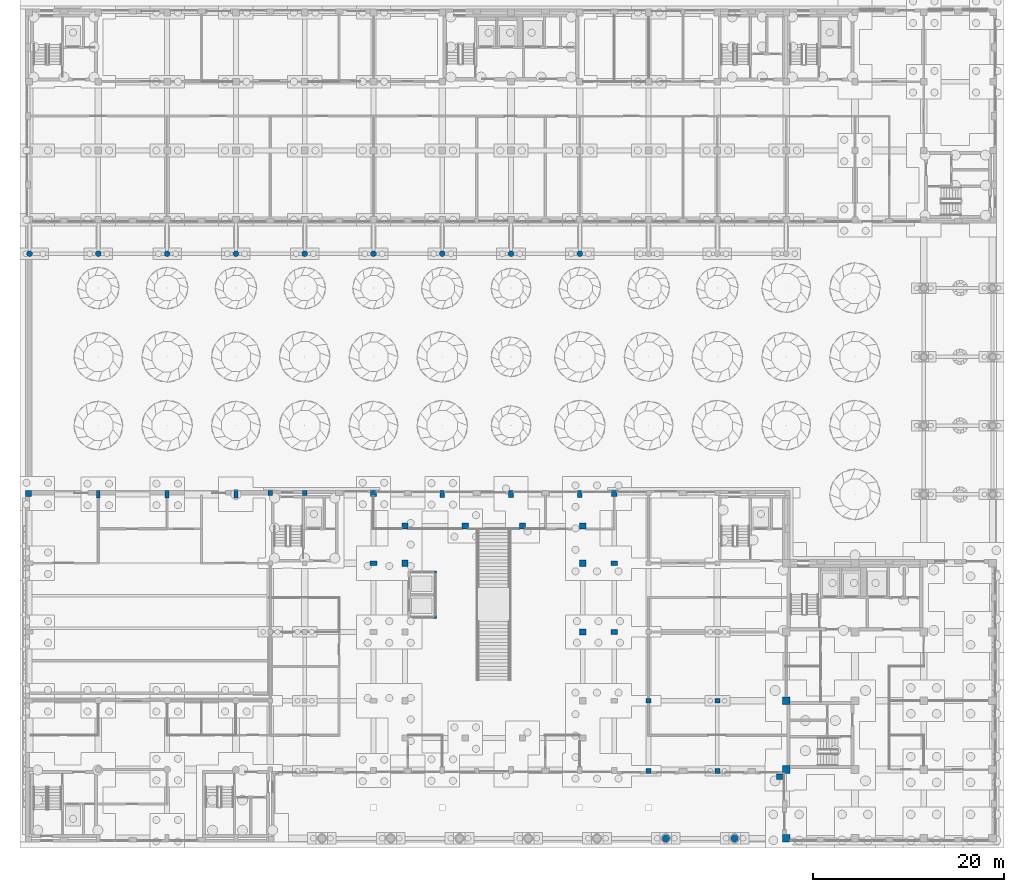
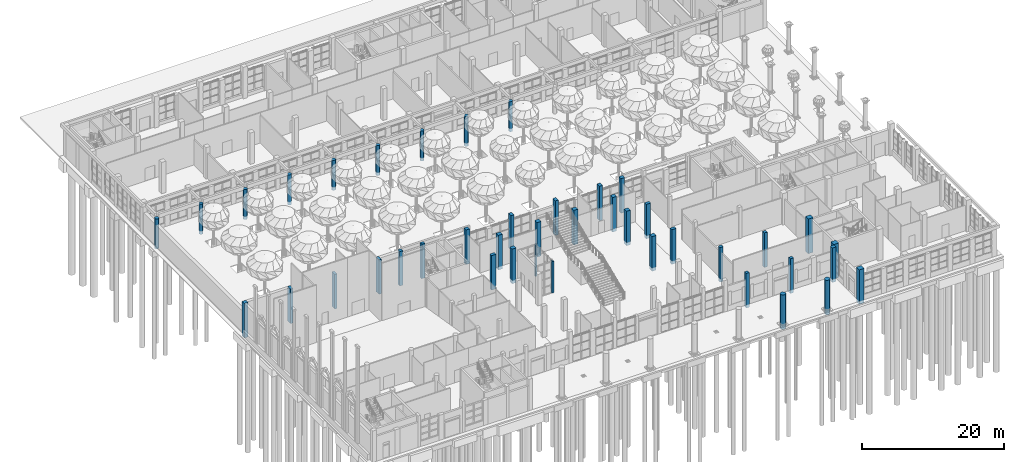
# One storey, part 8 of 80: 42 columns.
"""IFC4 building model written with IfcOpenShell, lengths in metres."""

from ifc_helpers import new_model, si_unit, direction, frame, origin, origin_2d, place, context, subcontext, project, spatial, rectangle, circle, extrude, material, material_profile, profile_set, type_object, element, save


model = new_model("IFC4")

# Units and contexts
model_context = context("Model", 3, precision=1e-05, world=origin(), true_north=direction((0.0, 1.0)))
body_context = subcontext(model_context, "Body", "Model", "MODEL_VIEW")
ifc_project = project(units=[si_unit("LENGTHUNIT", "METRE"), si_unit("AREAUNIT", "SQUARE_METRE"), si_unit("VOLUMEUNIT", "CUBIC_METRE"), si_unit("PLANEANGLEUNIT", "RADIAN"), si_unit("MASSUNIT", "GRAM", prefix="KILO")], contexts=[model_context])

# Site, building, storey
site_placement = place(None, origin())
site = spatial("IfcSite", under=ifc_project, at=site_placement, CompositionType="ELEMENT")
building_placement = place(site_placement, origin())
building = spatial("IfcBuilding", under=site, at=building_placement, Name="Ussher Court Research Institute", CompositionType="ELEMENT")
storey_placement = place(building_placement, origin())
storey = spatial("IfcBuildingStorey", under=building, at=storey_placement, Name="L00", CompositionType="ELEMENT", Elevation=0.0)

# Columns
ifc_material_1 = material(Name="Concrete C35/45", Category="concrete")
ifc_material_profile_1 = material_profile(ifc_material_1, rectangle(XDim=0.300048828125, YDim=0.300048828125, at=origin_2d()), Name="RC 300x300")
ifc_profile_set_1 = profile_set([ifc_material_profile_1], Name="Concrete C35/45")
column_type_1 = type_object("IfcColumnType", Name="Lift shaft corner column 300x300 RC", PredefinedType="COLUMN", material=ifc_profile_set_1)
for number, where, z_axis, x_axis, name in (
    (1, (45.449951171875, 27.14990234375, 0.0), (0.0, 0.0, 1.0), (1.0, 0.0, 0.0), "Lift shaft column atrium L00"),
    (2, (45.449951171875, 31.85009765625, 0.0), (0.0, 0.0, 1.0), (1.0, 0.0, 0.0), "Lift shaft column atrium L00"),
):
    element("IfcColumn", number, at=place(storey_placement, frame(where, z_axis=z_axis, x_axis=x_axis)), inside=storey, type_object=column_type_1, Name=name, PredefinedType="COLUMN", context=body_context, shape_type="SweptSolid", body=[
        extrude(rectangle(XDim=0.300048828125, YDim=0.300048828125, at=origin_2d()), origin(), (0.0, 0.0, 1.0), 5.39990234375),
    ])
ifc_material_2 = material(Name="Concrete C35/45", Category="concrete")
ifc_material_profile_2 = material_profile(ifc_material_2, rectangle(XDim=0.39990234375, YDim=0.800048828125, at=origin_2d()), Name="RC 400x800")
ifc_profile_set_2 = profile_set([ifc_material_profile_2], Name="Concrete C35/45")
column_type_2 = type_object("IfcColumnType", Name="RC 400x800 column", PredefinedType="COLUMN", material=ifc_profile_set_2)
for number, where, z_axis, x_axis, name in (
    (3, (10.199951171875, 40.0, -0.550048828125), (0.0, 0.0, 1.0), (1.0, 0.0, 0.0), "CF1 V1 L00-02"),
    (4, (17.39990234375, 40.0, -0.550048828125), (0.0, 0.0, 1.0), (1.0, 0.0, 0.0), "CF1 V1 L00-04"),
    (5, (24.60009765625, 40.0, -0.550048828125), (0.0, 0.0, 1.0), (1.0, 0.0, 0.0), "CF1 V1 L00-06"),
):
    element("IfcColumn", number, at=place(storey_placement, frame(where, z_axis=z_axis, x_axis=x_axis)), inside=storey, type_object=column_type_2, Name=name, PredefinedType="COLUMN", context=body_context, shape_type="SweptSolid", body=[
        extrude(rectangle(XDim=0.39990234375, YDim=0.800048828125, at=origin_2d()), origin(), (0.0, 0.0, 1.0), 5.949951171875),
    ])
ifc_material_3 = material(Name="Concrete C35/45", Category="concrete")
ifc_material_profile_3 = material_profile(ifc_material_3, rectangle(XDim=0.5, YDim=0.5, at=origin_2d()), Name="RC 500x500")
ifc_profile_set_3 = profile_set([ifc_material_profile_3], Name="Concrete C35/45")
column_type_3 = type_object("IfcColumnType", Name="RC 500x500 column", PredefinedType="COLUMN", material=ifc_profile_set_3)
for number, where, z_axis, x_axis, name in (
    (6, (28.199951171875, 40.14990234375, -0.550048828125), (0.0, 0.0, 1.0), (1.0, 0.0, 0.0), "C5 V7 L00-05"),
    (7, (31.800048828125, 40.14990234375, -0.550048828125), (0.0, 0.0, 1.0), (1.0, 0.0, 0.0), "C5 V7 L00-10"),
    (8, (67.800048828125, 11.050048828125, -0.550048828125), (0.0, 0.0, 1.0), (1.0, 0.0, 0.0), "C5 V7 L00-11"),
    (9, (67.800048828125, 18.39990234375, -0.550048828125), (0.0, 0.0, 1.0), (1.0, 0.0, 0.0), "C5 V7 L00-12"),
    (10, (75.0, 11.050048828125, -0.550048828125), (0.0, 0.0, 1.0), (1.0, 0.0, 0.0), "C5 V7 L00-16"),
    (11, (75.0, 18.39990234375, -0.550048828125), (0.0, 0.0, 1.0), (1.0, 0.0, 0.0), "C5 V7 L00-17"),
):
    element("IfcColumn", number, at=place(storey_placement, frame(where, z_axis=z_axis, x_axis=x_axis)), inside=storey, type_object=column_type_3, Name=name, PredefinedType="COLUMN", context=body_context, shape_type="SweptSolid", body=[
        extrude(rectangle(XDim=0.5, YDim=0.5, at=origin_2d()), origin(), (0.0, 0.0, 1.0), 5.949951171875),
    ])
ifc_material_4 = material(Name="Concrete C35/45", Category="concrete")
ifc_material_profile_4 = material_profile(ifc_material_4, rectangle(XDim=0.5, YDim=0.699951171875, at=origin_2d()), Name="RC 500x700")
ifc_profile_set_4 = profile_set([ifc_material_profile_4], Name="Concrete C35/45")
column_type_4 = type_object("IfcColumnType", Name="RC 500x700 column", PredefinedType="COLUMN", material=ifc_profile_set_4)
for number, where, z_axis, x_axis, name in (
    (12, (46.199951171875, 40.050048828125, -0.550048828125), (0.0, 0.0, 1.0), (1.0, 0.0, 0.0), "CF2 V2 L00-02"),
    (13, (53.39990234375, 40.050048828125, -0.550048828125), (0.0, 0.0, 1.0), (1.0, 0.0, 0.0), "CF2 V2 L00-04"),
    (14, (60.60009765625, 40.050048828125, -0.550048828125), (0.0, 0.0, 1.0), (1.0, 0.0, 0.0), "CF2 V2 L00-06"),
):
    element("IfcColumn", number, at=place(storey_placement, frame(where, z_axis=z_axis, x_axis=x_axis)), inside=storey, type_object=column_type_4, Name=name, PredefinedType="COLUMN", context=body_context, shape_type="SweptSolid", body=[
        extrude(rectangle(XDim=0.5, YDim=0.699951171875, at=origin_2d()), origin(), (0.0, 0.0, 1.0), 5.949951171875),
    ])
ifc_material_5 = material(Name="Concrete C35/45", Category="concrete")
ifc_material_profile_5 = material_profile(ifc_material_5, rectangle(XDim=0.60009765625, YDim=0.60009765625, at=origin_2d()), Name="RC 600x600")
ifc_profile_set_5 = profile_set([ifc_material_profile_5], Name="Concrete C35/45")
column_type_5 = type_object("IfcColumnType", Name="RC 600x600 column", PredefinedType="COLUMN", material=ifc_profile_set_5)
for number, where, z_axis, x_axis, name in (
    (15, (39.0, 40.10009765625, -0.550048828125), (0.0, 0.0, 1.0), (1.0, 0.0, 0.0), "C6 V2 L00-02"),
    (16, (64.199951171875, 40.10009765625, -0.550048828125), (0.0, 0.0, 1.0), (1.0, 0.0, 0.0), "C6 V2 L00-04"),
    (17, (2.89990234375, 40.10009765625, -0.550048828125), (0.0, 0.0, 1.0), (1.0, 0.0, 0.0), "C6 V1 L00-02"),
    (18, (81.5, 10.449951171875, -0.550048828125), (0.0, 0.0, 1.0), (1.0, 0.0, 0.0), "C6 V6 L00-01"),
):
    element("IfcColumn", number, at=place(storey_placement, frame(where, z_axis=z_axis, x_axis=x_axis)), inside=storey, type_object=column_type_5, Name=name, PredefinedType="COLUMN", context=body_context, shape_type="SweptSolid", body=[
        extrude(rectangle(XDim=0.60009765625, YDim=0.60009765625, at=origin_2d()), origin(), (0.0, 0.0, 1.0), 5.949951171875),
    ])
ifc_material_6 = material(Name="Concrete C35/45", Category="concrete")
ifc_material_profile_6 = material_profile(ifc_material_6, rectangle(XDim=0.64990234375, YDim=0.64990234375, at=origin_2d()), Name="RC 650x650")
ifc_profile_set_6 = profile_set([ifc_material_profile_6], Name="Concrete C35/45")
column_type_6 = type_object("IfcColumnType", Name="RC 650x650 column", PredefinedType="COLUMN", material=ifc_profile_set_6)
for number, where, z_axis, x_axis, name in (
    (19, (42.300048828125, 32.800048828125, -0.550048828125), (0.0, 0.0, 1.0), (1.0, 0.0, 0.0), "C65 V2 L00-04"),
    (20, (42.300048828125, 36.699951171875, -0.550048828125), (0.0, 0.0, 1.0), (1.0, 0.0, 0.0), "C65 V2 L00-05"),
    (21, (60.89990234375, 25.60009765625, -0.550048828125), (0.0, 0.0, 1.0), (1.0, 0.0, 0.0), "C65 V2 L00-08"),
    (22, (60.89990234375, 32.800048828125, -0.550048828125), (0.0, 0.0, 1.0), (1.0, 0.0, 0.0), "C65 V2 L00-09"),
    (23, (60.89990234375, 36.699951171875, -0.550048828125), (0.0, 0.0, 1.0), (1.0, 0.0, 0.0), "C65 V2 L00-10"),
    (24, (48.60009765625, 36.699951171875, -0.550048828125), (0.0, 0.0, 1.0), (1.0, 0.0, 0.0), "C65 V2 L00-13"),
    (25, (54.60009765625, 36.699951171875, -0.550048828125), (0.0, 0.0, 1.0), (1.0, 0.0, 0.0), "C65 V2 L00-14"),
):
    element("IfcColumn", number, at=place(storey_placement, frame(where, z_axis=z_axis, x_axis=x_axis)), inside=storey, type_object=column_type_6, Name=name, PredefinedType="COLUMN", context=body_context, shape_type="SweptSolid", body=[
        extrude(rectangle(XDim=0.64990234375, YDim=0.64990234375, at=origin_2d()), origin(), (0.0, 0.0, 1.0), 5.949951171875),
    ])
ifc_material_7 = material(Name="Concrete C35/45", Category="concrete")
ifc_material_profile_7 = material_profile(ifc_material_7, rectangle(XDim=0.699951171875, YDim=0.5, at=origin_2d()), Name="RC 700x500")
ifc_profile_set_7 = profile_set([ifc_material_profile_7], Name="Concrete C35/45")
column_type_7 = type_object("IfcColumnType", Name="RC 700x500 column", PredefinedType="COLUMN", material=ifc_profile_set_7)
for number, where, z_axis, x_axis, name in (
    (26, (39.0, 32.800048828125, -0.550048828125), (0.0, 0.0, 1.0), (1.0, 0.0, 0.0), "CF3 V2 L00-03"),
    (27, (64.199951171875, 25.60009765625, -0.550048828125), (0.0, 0.0, 1.0), (1.0, 0.0, 0.0), "CF3 V2 L00-05"),
    (28, (64.199951171875, 32.800048828125, -0.550048828125), (0.0, 0.0, 1.0), (1.0, 0.0, 0.0), "CF3 V2 L00-06"),
):
    element("IfcColumn", number, at=place(storey_placement, frame(where, z_axis=z_axis, x_axis=x_axis)), inside=storey, type_object=column_type_7, Name=name, PredefinedType="COLUMN", context=body_context, shape_type="SweptSolid", body=[
        extrude(rectangle(XDim=0.699951171875, YDim=0.5, at=origin_2d()), origin(), (0.0, 0.0, 1.0), 5.949951171875),
    ])
ifc_material_8 = material(Name="Concrete C35/45", Category="concrete")
ifc_material_profile_8 = material_profile(ifc_material_8, rectangle(XDim=0.800048828125, YDim=0.800048828125, at=origin_2d()), Name="RC 800x800")
ifc_profile_set_8 = profile_set([ifc_material_profile_8], Name="Concrete C35/45")
column_type_8 = type_object("IfcColumnType", Name="RC 800x800 column", PredefinedType="COLUMN", material=ifc_profile_set_8)
for number, where, z_axis, x_axis, name in (
    (29, (82.199951171875, 4.0, -0.550048828125), (0.0, 0.0, 1.0), (1.0, 0.0, 0.0), "C8 V4 L00-01"),
    (30, (82.199951171875, 11.199951171875, -0.550048828125), (0.0, 0.0, 1.0), (1.0, 0.0, 0.0), "C8 V4 L00-02"),
    (31, (82.199951171875, 18.39990234375, -0.550048828125), (0.0, 0.0, 1.0), (1.0, 0.0, 0.0), "C8 V4 L00-03"),
):
    element("IfcColumn", number, at=place(storey_placement, frame(where, z_axis=z_axis, x_axis=x_axis)), inside=storey, type_object=column_type_8, Name=name, PredefinedType="COLUMN", context=body_context, shape_type="SweptSolid", body=[
        extrude(rectangle(XDim=0.800048828125, YDim=0.800048828125, at=origin_2d()), origin(), (0.0, 0.0, 1.0), 5.949951171875),
    ])
ifc_material_9 = material(Name="Concrete C35/45", Category="concrete")
ifc_material_profile_9 = material_profile(ifc_material_9, circle(Radius=0.300048828125, at=origin_2d()), Name="RC D600")
ifc_profile_set_9 = profile_set([ifc_material_profile_9], Name="Concrete C35/45")
column_type_9 = type_object("IfcColumnType", Name="RC D600 column", PredefinedType="COLUMN", material=ifc_profile_set_9)
for number, where, z_axis, x_axis, name in (
    (32, (3.0, 65.199951171875, -0.550048828125), (0.0, 0.0, 1.0), (1.0, 0.0, 0.0), "CR3 V5C L00-01"),
    (33, (10.199951171875, 65.199951171875, -0.550048828125), (0.0, 0.0, 1.0), (1.0, 0.0, 0.0), "CR3 V5C L00-02"),
    (34, (17.39990234375, 65.199951171875, -0.550048828125), (0.0, 0.0, 1.0), (1.0, 0.0, 0.0), "CR3 V5C L00-03"),
    (35, (24.60009765625, 65.199951171875, -0.550048828125), (0.0, 0.0, 1.0), (1.0, 0.0, 0.0), "CR3 V5C L00-04"),
    (36, (31.800048828125, 65.199951171875, -0.550048828125), (0.0, 0.0, 1.0), (1.0, 0.0, 0.0), "CR3 V5C L00-05"),
    (37, (39.0, 65.199951171875, -0.550048828125), (0.0, 0.0, 1.0), (1.0, 0.0, 0.0), "CR3 V5C L00-06"),
    (38, (46.199951171875, 65.199951171875, -0.550048828125), (0.0, 0.0, 1.0), (1.0, 0.0, 0.0), "CR3 V5C L00-07"),
    (39, (53.39990234375, 65.199951171875, -0.550048828125), (0.0, 0.0, 1.0), (1.0, 0.0, 0.0), "CR3 V5C L00-08"),
    (40, (60.60009765625, 65.199951171875, -0.550048828125), (0.0, 0.0, 1.0), (1.0, 0.0, 0.0), "CR3 V5C L00-09"),
):
    element("IfcColumn", number, at=place(storey_placement, frame(where, z_axis=z_axis, x_axis=x_axis)), inside=storey, type_object=column_type_9, Name=name, PredefinedType="COLUMN", context=body_context, shape_type="SweptSolid", body=[
        extrude(circle(Radius=0.300048828125, at=origin_2d()), origin(), (0.0, 0.0, 1.0), 5.170166015625),
    ])
ifc_material_10 = material(Name="Concrete C35/45", Category="concrete")
ifc_material_profile_10 = material_profile(ifc_material_10, circle(Radius=0.39990234375, at=origin_2d()), Name="RC D800")
ifc_profile_set_10 = profile_set([ifc_material_profile_10], Name="Concrete C35/45")
column_type_10 = type_object("IfcColumnType", Name="RC D800 column", PredefinedType="COLUMN", material=ifc_profile_set_10)
for number, where, z_axis, x_axis, name in (
    (41, (69.60009765625, 4.0, -0.550048828125), (0.0, 0.0, 1.0), (1.0, 0.0, 0.0), "CR2 V6 L00-06"),
    (42, (76.800048828125, 4.0, -0.550048828125), (0.0, 0.0, 1.0), (1.0, 0.0, 0.0), "CR2 V6 L00-07"),
):
    element("IfcColumn", number, at=place(storey_placement, frame(where, z_axis=z_axis, x_axis=x_axis)), inside=storey, type_object=column_type_10, Name=name, PredefinedType="COLUMN", context=body_context, shape_type="SweptSolid", body=[
        extrude(circle(Radius=0.39990234375, at=origin_2d()), origin(), (0.0, 0.0, 1.0), 5.949951171875),
    ])

save(model, "model.ifc")
